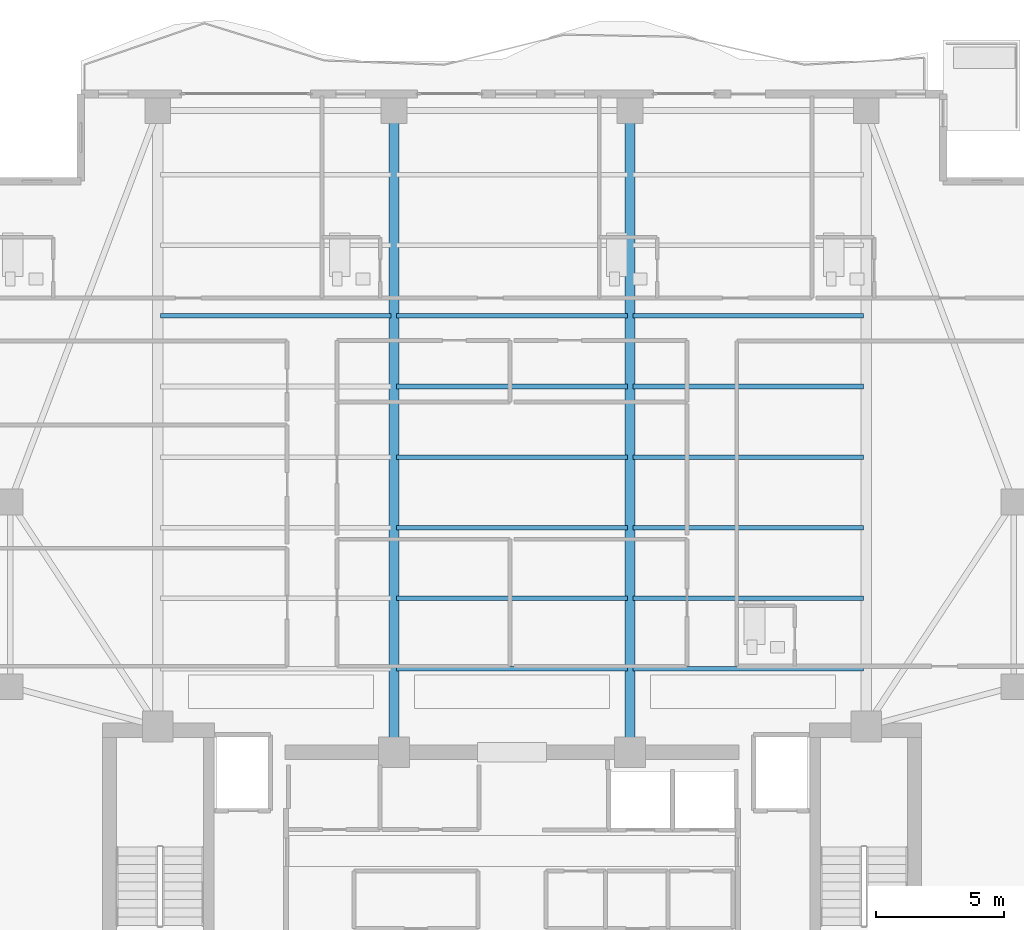
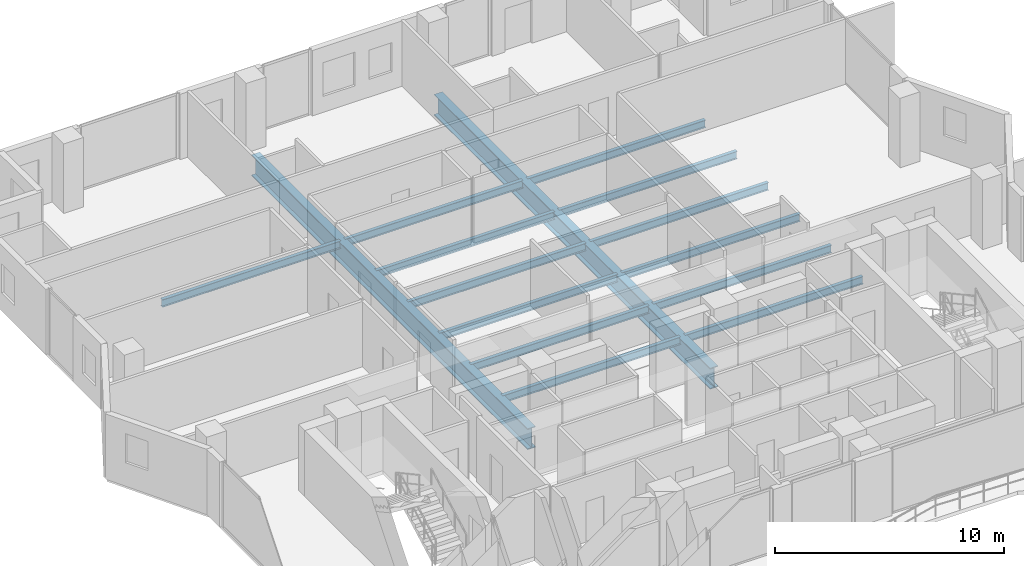
# One storey, part 7 of 24: 15 beams.
"""IFC4 building model written with IfcOpenShell, lengths in metres."""

from ifc_helpers import new_model, si_unit, direction, frame, origin, origin_2d, place, context, subcontext, project, spatial, i_section, extrude, material, material_profile, profile_set, type_object, element, save


model = new_model("IFC4")

# Units and contexts
model_context = context("Model", 3, precision=1e-05, world=origin(), true_north=direction((0.0, 1.0)))
body_context = subcontext(model_context, "Body", "Model", "MODEL_VIEW")
ifc_project = project(units=[si_unit("LENGTHUNIT", "METRE"), si_unit("AREAUNIT", "SQUARE_METRE"), si_unit("VOLUMEUNIT", "CUBIC_METRE"), si_unit("PLANEANGLEUNIT", "RADIAN"), si_unit("MASSUNIT", "GRAM", prefix="KILO")], contexts=[model_context])

# Site, building, storey
site_placement = place(None, origin())
site = spatial("IfcSite", under=ifc_project, at=site_placement, CompositionType="ELEMENT")
building_placement = place(site_placement, origin())
building = spatial("IfcBuilding", under=site, at=building_placement, Name="Zuhayl Quay Hotel", CompositionType="ELEMENT")
storey_placement = place(building_placement, frame((0.0, 0.0, 269.25)))
storey = spatial("IfcBuildingStorey", under=building, at=storey_placement, Name="L68", CompositionType="ELEMENT", Elevation=269.25)

# Beams
ifc_material_1 = material(Name="Steel ASTM A992 Grade 50", Category="steel")
ifc_material_profile_1 = material_profile(ifc_material_1, i_section(OverallWidth=0.177978515625, OverallDepth=0.404052734375, WebThickness=0.007568359375, FlangeThickness=0.010986328125, at=origin_2d()), Name="W16X36")
ifc_profile_set_1 = profile_set([ifc_material_profile_1], Name="Steel ASTM A992 Grade 50")
beam_type_1 = type_object("IfcBeamType", Name="BM_J3_W16X36", PredefinedType="JOIST", material=ifc_profile_set_1)
beam_1_placement = place(storey_placement, frame((-4.493896484375, 16.60009765625, -0.422119140625), z_axis=(1.0, 0.0, 0.0), x_axis=(0.0, 1.0, 0.0)))
element("IfcBeam", 1, at=beam_1_placement, inside=storey, type_object=beam_type_1, Name="L68 Floor Beam FJ_L68_1_2", PredefinedType="JOIST", context=body_context, shape_type="SweptSolid", body=[
    extrude(i_section(OverallWidth=0.177978515625, OverallDepth=0.404052734375, WebThickness=0.007568359375, FlangeThickness=0.010986328125, at=origin_2d()), origin(), (0.0, 0.0, 1.0), 8.98779296875),
])
beam_2_placement = place(storey_placement, frame((4.7060546875, 16.60009765625, -0.422119140625), z_axis=(1.0, 0.0, 0.0), x_axis=(0.0, 1.0, 0.0)))
element("IfcBeam", 2, at=beam_2_placement, inside=storey, type_object=beam_type_1, Name="L68 Floor Beam FJ_L68_1_3", PredefinedType="JOIST", context=body_context, shape_type="SweptSolid", body=[
    extrude(i_section(OverallWidth=0.177978515625, OverallDepth=0.404052734375, WebThickness=0.007568359375, FlangeThickness=0.010986328125, at=origin_2d()), origin(), (0.0, 0.0, 1.0), 8.988037109375),
])
beam_3_placement = place(storey_placement, frame((-4.493896484375, 19.35009765625, -0.422119140625), z_axis=(1.0, 0.0, 0.0), x_axis=(0.0, 1.0, 0.0)))
element("IfcBeam", 3, at=beam_3_placement, inside=storey, type_object=beam_type_1, Name="L68 Floor Beam FJ_L68_2_2", PredefinedType="JOIST", context=body_context, shape_type="SweptSolid", body=[
    extrude(i_section(OverallWidth=0.177978515625, OverallDepth=0.404052734375, WebThickness=0.007568359375, FlangeThickness=0.010986328125, at=origin_2d()), origin(), (0.0, 0.0, 1.0), 8.98779296875),
])
beam_4_placement = place(storey_placement, frame((4.7060546875, 19.35009765625, -0.422119140625), z_axis=(1.0, 0.0, 0.0), x_axis=(0.0, 1.0, 0.0)))
element("IfcBeam", 4, at=beam_4_placement, inside=storey, type_object=beam_type_1, Name="L68 Floor Beam FJ_L68_2_3", PredefinedType="JOIST", context=body_context, shape_type="SweptSolid", body=[
    extrude(i_section(OverallWidth=0.177978515625, OverallDepth=0.404052734375, WebThickness=0.007568359375, FlangeThickness=0.010986328125, at=origin_2d()), origin(), (0.0, 0.0, 1.0), 8.988037109375),
])
beam_5_placement = place(storey_placement, frame((-4.493896484375, 22.10009765625, -0.422119140625), z_axis=(1.0, 0.0, 0.0), x_axis=(0.0, 1.0, 0.0)))
element("IfcBeam", 5, at=beam_5_placement, inside=storey, type_object=beam_type_1, Name="L68 Floor Beam FJ_L68_3_2", PredefinedType="JOIST", context=body_context, shape_type="SweptSolid", body=[
    extrude(i_section(OverallWidth=0.177978515625, OverallDepth=0.404052734375, WebThickness=0.007568359375, FlangeThickness=0.010986328125, at=origin_2d()), origin(), (0.0, 0.0, 1.0), 8.98779296875),
])
beam_6_placement = place(storey_placement, frame((4.7060546875, 22.10009765625, -0.422119140625), z_axis=(1.0, 0.0, 0.0), x_axis=(0.0, 1.0, 0.0)))
element("IfcBeam", 6, at=beam_6_placement, inside=storey, type_object=beam_type_1, Name="L68 Floor Beam FJ_L68_3_3", PredefinedType="JOIST", context=body_context, shape_type="SweptSolid", body=[
    extrude(i_section(OverallWidth=0.177978515625, OverallDepth=0.404052734375, WebThickness=0.007568359375, FlangeThickness=0.010986328125, at=origin_2d()), origin(), (0.0, 0.0, 1.0), 8.988037109375),
])
beam_7_placement = place(storey_placement, frame((-4.493896484375, 24.85009765625, -0.422119140625), z_axis=(1.0, 0.0, 0.0), x_axis=(0.0, 1.0, 0.0)))
element("IfcBeam", 7, at=beam_7_placement, inside=storey, type_object=beam_type_1, Name="L68 Floor Beam FJ_L68_4_2", PredefinedType="JOIST", context=body_context, shape_type="SweptSolid", body=[
    extrude(i_section(OverallWidth=0.177978515625, OverallDepth=0.404052734375, WebThickness=0.007568359375, FlangeThickness=0.010986328125, at=origin_2d()), origin(), (0.0, 0.0, 1.0), 8.98779296875),
])
beam_8_placement = place(storey_placement, frame((4.7060546875, 24.85009765625, -0.422119140625), z_axis=(1.0, 0.0, 0.0), x_axis=(0.0, 1.0, 0.0)))
element("IfcBeam", 8, at=beam_8_placement, inside=storey, type_object=beam_type_1, Name="L68 Floor Beam FJ_L68_4_3", PredefinedType="JOIST", context=body_context, shape_type="SweptSolid", body=[
    extrude(i_section(OverallWidth=0.177978515625, OverallDepth=0.404052734375, WebThickness=0.007568359375, FlangeThickness=0.010986328125, at=origin_2d()), origin(), (0.0, 0.0, 1.0), 8.988037109375),
])
beam_9_placement = place(storey_placement, frame((-4.493896484375, 27.60009765625, -0.422119140625), z_axis=(1.0, 0.0, 0.0), x_axis=(0.0, 1.0, 0.0)))
element("IfcBeam", 9, at=beam_9_placement, inside=storey, type_object=beam_type_1, Name="L68 Floor Beam FJ_L68_5_2", PredefinedType="JOIST", context=body_context, shape_type="SweptSolid", body=[
    extrude(i_section(OverallWidth=0.177978515625, OverallDepth=0.404052734375, WebThickness=0.007568359375, FlangeThickness=0.010986328125, at=origin_2d()), origin(), (0.0, 0.0, 1.0), 8.98779296875),
])
for number, where, z_axis, x_axis, name in (
    (10, (4.7060546875, 27.60009765625, -0.422119140625), (1.0, 0.0, 0.0), (0.0, 1.0, 0.0), "L68 Floor Beam FJ_L68_5_3"),
    (11, (-13.694091796875, 30.35009765625, -0.422119140625), (1.0, 0.0, 0.0), (0.0, 1.0, 0.0), "L68 Floor Beam FJ_L68_6_1"),
):
    element("IfcBeam", number, at=place(storey_placement, frame(where, z_axis=z_axis, x_axis=x_axis)), inside=storey, type_object=beam_type_1, Name=name, PredefinedType="JOIST", context=body_context, shape_type="SweptSolid", body=[
        extrude(i_section(OverallWidth=0.177978515625, OverallDepth=0.404052734375, WebThickness=0.007568359375, FlangeThickness=0.010986328125, at=origin_2d()), origin(), (0.0, 0.0, 1.0), 8.988037109375),
    ])
beam_10_placement = place(storey_placement, frame((-4.493896484375, 30.35009765625, -0.422119140625), z_axis=(1.0, 0.0, 0.0), x_axis=(0.0, 1.0, 0.0)))
element("IfcBeam", 12, at=beam_10_placement, inside=storey, type_object=beam_type_1, Name="L68 Floor Beam FJ_L68_6_2", PredefinedType="JOIST", context=body_context, shape_type="SweptSolid", body=[
    extrude(i_section(OverallWidth=0.177978515625, OverallDepth=0.404052734375, WebThickness=0.007568359375, FlangeThickness=0.010986328125, at=origin_2d()), origin(), (0.0, 0.0, 1.0), 8.98779296875),
])
beam_11_placement = place(storey_placement, frame((4.7060546875, 30.35009765625, -0.422119140625), z_axis=(1.0, 0.0, 0.0), x_axis=(0.0, 1.0, 0.0)))
element("IfcBeam", 13, at=beam_11_placement, inside=storey, type_object=beam_type_1, Name="L68 Floor Beam FJ_L68_6_3", PredefinedType="JOIST", context=body_context, shape_type="SweptSolid", body=[
    extrude(i_section(OverallWidth=0.177978515625, OverallDepth=0.404052734375, WebThickness=0.007568359375, FlangeThickness=0.010986328125, at=origin_2d()), origin(), (0.0, 0.0, 1.0), 8.988037109375),
])
ifc_material_2 = material(Name="Steel ASTM A913 Grade 65", Category="steel")
ifc_material_profile_2 = material_profile(ifc_material_2, i_section(OverallWidth=0.404052734375, OverallDepth=1.117919921875, WebThickness=0.026123046875, FlangeThickness=0.044921875, at=origin_2d()), Name="W44X335")
ifc_profile_set_2 = profile_set([ifc_material_profile_2], Name="Steel ASTM A913 Grade 65")
beam_type_2 = type_object("IfcBeamType", Name="BM_TG1_W44X335", PredefinedType="BEAM", material=ifc_profile_set_2)
for number, where, z_axis, x_axis, name in (
    (14, (-4.60009765625, 13.800048828125, -0.779052734375), (0.0, 1.0, 0.0), (-1.0, 0.0, 0.0), "L68 Floor Beam FG_N_L68_2"),
    (15, (4.60009765625, 13.800048828125, -0.779052734375), (0.0, 1.0, 0.0), (-1.0, 0.0, 0.0), "L68 Floor Beam FG_N_L68_3"),
):
    element("IfcBeam", number, at=place(storey_placement, frame(where, z_axis=z_axis, x_axis=x_axis)), inside=storey, type_object=beam_type_2, Name=name, PredefinedType="BEAM", context=body_context, shape_type="SweptSolid", body=[
        extrude(i_section(OverallWidth=0.404052734375, OverallDepth=1.117919921875, WebThickness=0.026123046875, FlangeThickness=0.044921875, at=origin_2d()), origin(), (0.0, 0.0, 1.0), 24.08984375),
    ])

save(model, "model.ifc")
